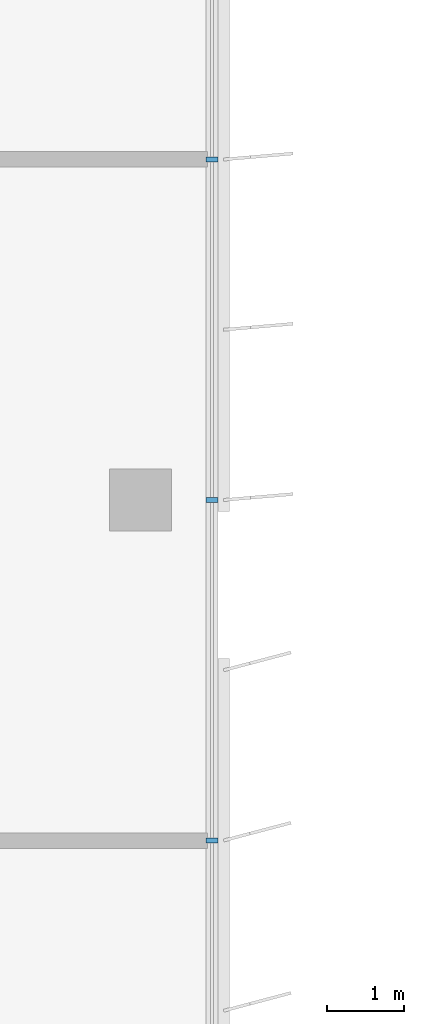
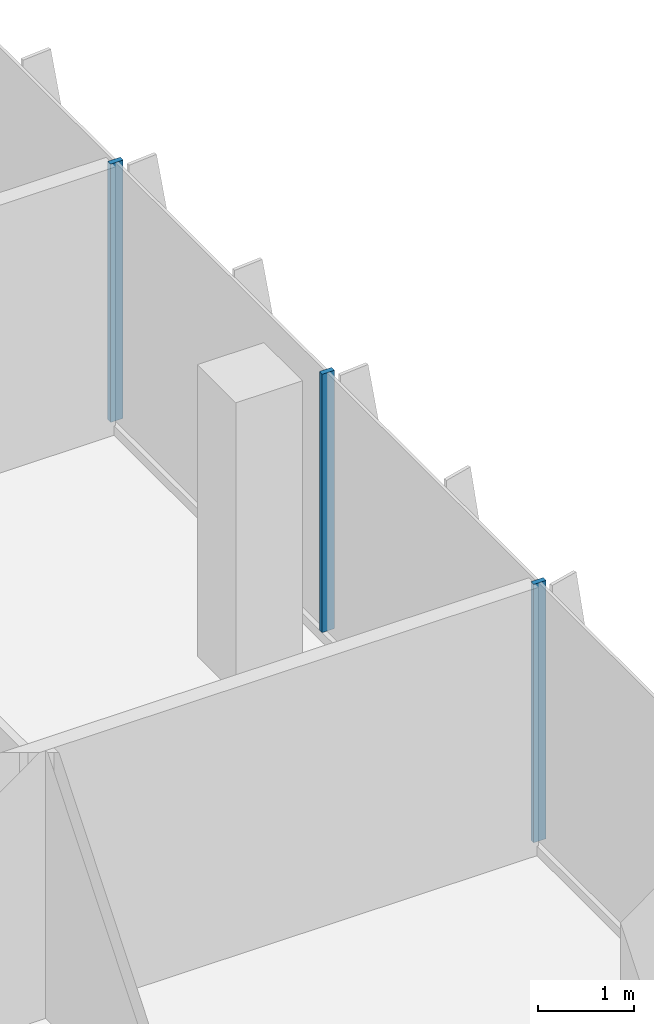
# One storey, part 4 of 15: 3 members, 1 element without a shape of its own.
"""IFC4 building model written with IfcOpenShell, lengths in metres."""

from ifc_helpers import new_model, si_unit, direction, frame, origin, origin_2d, place, context, subcontext, project, spatial, rectangle, extrude, source, transform, mapped, material, material_profile, profile_set, type_object, element, aggregate, save


model = new_model("IFC4")

# Units and contexts
model_context = context("Model", 3, precision=1e-05, world=origin(), true_north=direction((0.0, 1.0)))
body_context = subcontext(model_context, "Body", "Model", "MODEL_VIEW")
ifc_project = project(units=[si_unit("LENGTHUNIT", "METRE"), si_unit("AREAUNIT", "SQUARE_METRE"), si_unit("VOLUMEUNIT", "CUBIC_METRE"), si_unit("PLANEANGLEUNIT", "RADIAN"), si_unit("MASSUNIT", "GRAM", prefix="KILO")], contexts=[model_context])

# Site, building, storey
site_placement = place(None, origin())
site = spatial("IfcSite", under=ifc_project, at=site_placement, CompositionType="ELEMENT")
building_placement = place(site_placement, origin())
building = spatial("IfcBuilding", under=site, at=building_placement, Name="Kemantara Hotel Tower", CompositionType="ELEMENT")
storey_placement = place(building_placement, frame((0.0, 0.0, 290.699951171875)))
storey = spatial("IfcBuildingStorey", under=building, at=storey_placement, Name="L73", CompositionType="ELEMENT", Elevation=290.699951171875)

# Curtain wall, members
ifc_material_1 = material(Name="Low-E tinted double insulated glass 36 mm", Category="glass")
curtain_wall_type = type_object("IfcCurtainWallType", Name="TOWER CURTAIN WALL, FRONT FACES", PredefinedType="USERDEFINED", material=ifc_material_1)
curtain_wall_placement = place(storey_placement, origin())
curtain_wall = element("IfcCurtainWall", 1, at=curtain_wall_placement, inside=storey, type_object=curtain_wall_type, Name="CW4 L73 T4-R15-1", ObjectType="TOWER CURTAIN WALL, FRONT FACES", PredefinedType="USERDEFINED")
ifc_material_2 = material(Name="Aluminium 6063-T6 bronze anodised", Category="aluminium")
ifc_material_profile = material_profile(ifc_material_2, rectangle(XDim=0.14990234375, YDim=0.06005859375, at=origin_2d()), Name="TOWER CURTAIN WALL, FRONT FACES MULLION")
ifc_profile_set = profile_set([ifc_material_profile], Name="Aluminium 6063-T6 bronze anodised")
member_type = type_object("IfcMemberType", Name="TOWER CURTAIN WALL, FRONT FACES MULLION", PredefinedType="MULLION", material=ifc_profile_set)
shared_shape = source(origin(), body_context, "Body", "SweptSolid", [
    extrude(rectangle(XDim=0.14990234375, YDim=0.06005859375, at=origin_2d()), origin(), (0.0, 0.0, 1.0), 3.280029296875),
])
member_1_placement = place(storey_placement, frame((21.925048828125, 31.800048828125, 0.1201171875), z_axis=(0.0, 0.0, 1.0), x_axis=(-1.0, 0.0, 0.0)))
member_1 = element("IfcMember", 2, at=member_1_placement, type_object=member_type, Name="CW4 mullion T4-R15-1.3", PredefinedType="MULLION", context=body_context, shape_type="MappedRepresentation", body=[
    mapped(shared_shape, transform((0.0, 0.0, 0.0))),
])
member_2_placement = place(storey_placement, frame((21.925048828125, 36.199951171875, 0.1201171875), z_axis=(0.0, 0.0, 1.0), x_axis=(-1.0, 0.0, 0.0)))
member_2 = element("IfcMember", 3, at=member_2_placement, type_object=member_type, Name="CW4 mullion T4-R15-1.4", PredefinedType="MULLION", context=body_context, shape_type="MappedRepresentation", body=[
    mapped(shared_shape, transform((0.0, 0.0, 0.0))),
])
member_3_placement = place(storey_placement, frame((21.925048828125, 40.60009765625, 0.1201171875), z_axis=(0.0, 0.0, 1.0), x_axis=(-1.0, 0.0, 0.0)))
member_3 = element("IfcMember", 4, at=member_3_placement, type_object=member_type, Name="CW4 mullion T4-R15-1.5", PredefinedType="MULLION", context=body_context, shape_type="MappedRepresentation", body=[
    mapped(shared_shape, transform((0.0, 0.0, 0.0))),
])
aggregate(curtain_wall, [member_1, member_2, member_3])

save(model, "model.ifc")
